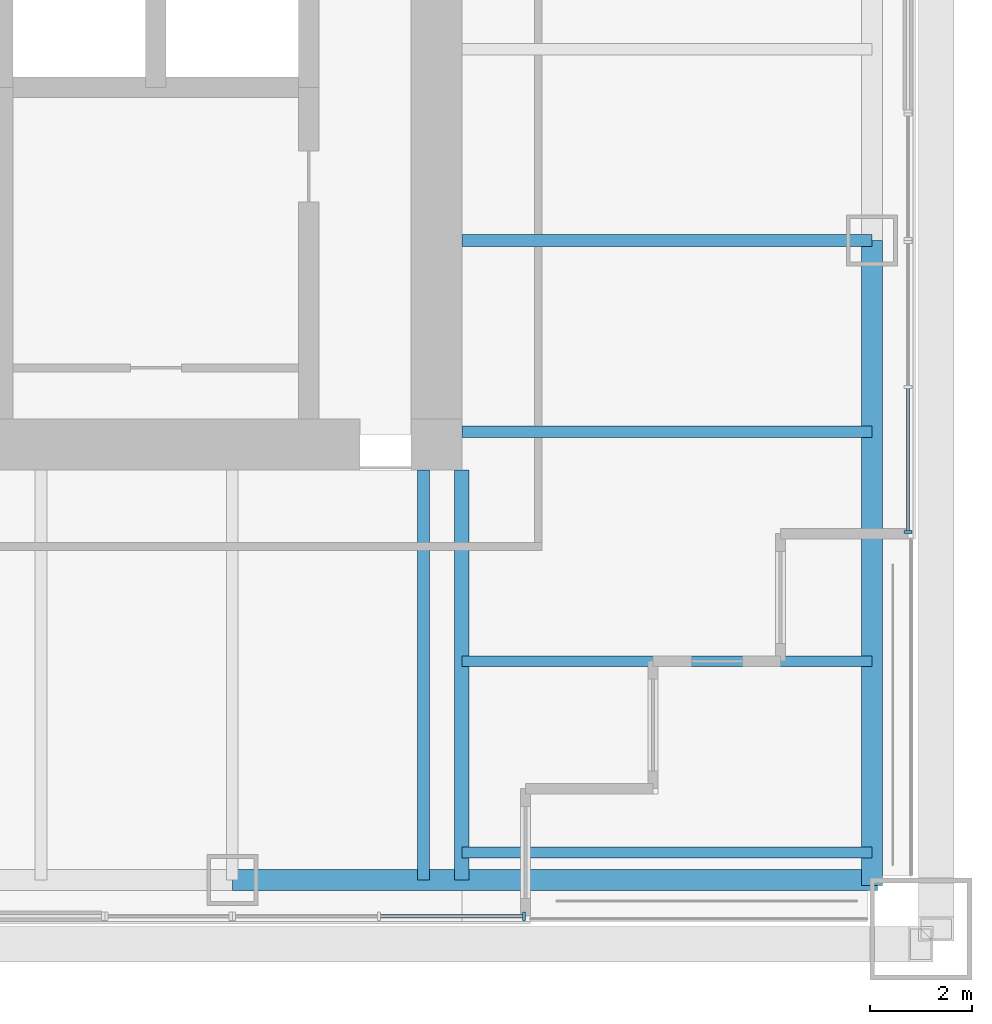
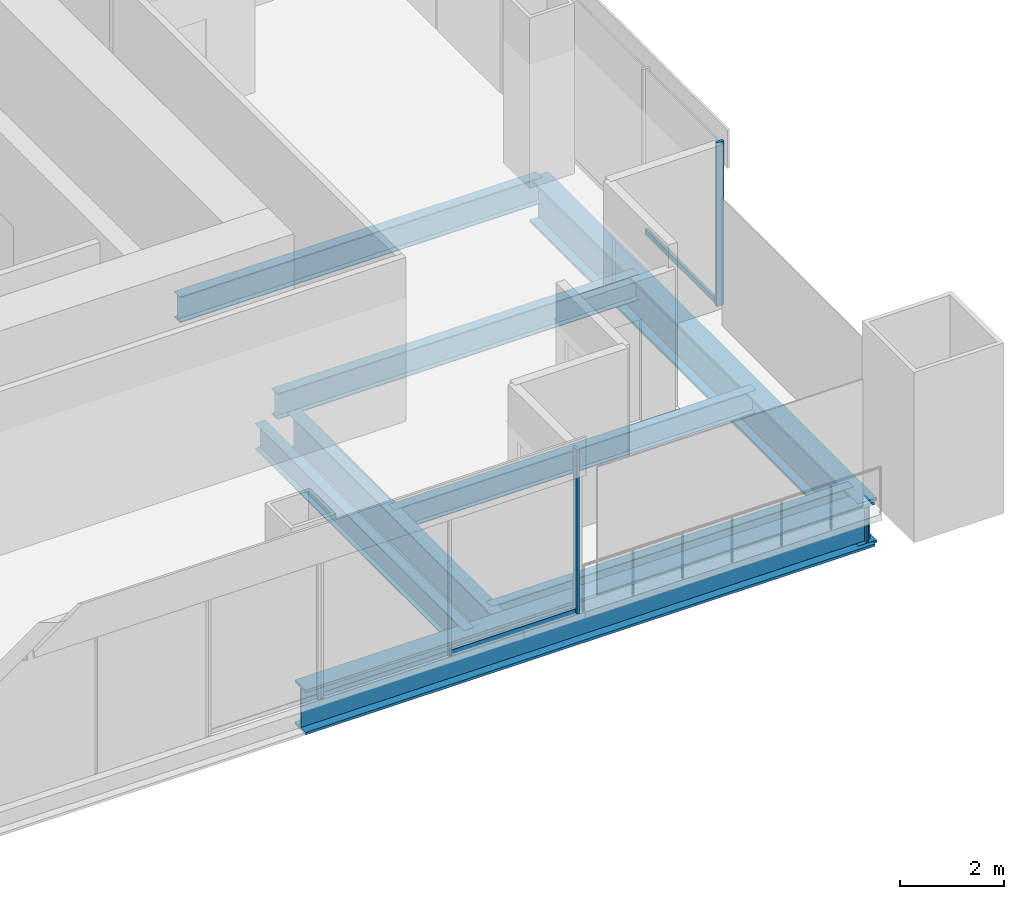
# One storey, part 7 of 19: 8 beams, 4 members, 2 elements without a shape of their own.
"""IFC4 building model written with IfcOpenShell, lengths in metres."""

from ifc_helpers import new_model, si_unit, direction, frame, origin, origin_2d, place, context, subcontext, project, spatial, rectangle, i_section, extrude, material, material_profile, profile_set, type_object, element, aggregate, save


model = new_model("IFC4")

# Units and contexts
model_context = context("Model", 3, precision=1e-05, world=origin(), true_north=direction((0.0, 1.0)))
body_context = subcontext(model_context, "Body", "Model", "MODEL_VIEW")
ifc_project = project(units=[si_unit("LENGTHUNIT", "METRE"), si_unit("AREAUNIT", "SQUARE_METRE"), si_unit("VOLUMEUNIT", "CUBIC_METRE"), si_unit("PLANEANGLEUNIT", "RADIAN"), si_unit("MASSUNIT", "GRAM", prefix="KILO")], contexts=[model_context])

# Site, building, storey
site_placement = place(None, origin())
site = spatial("IfcSite", under=ifc_project, at=site_placement, CompositionType="ELEMENT")
building_placement = place(site_placement, origin())
building = spatial("IfcBuilding", under=site, at=building_placement, Name="Tarangal Relay Tower", CompositionType="ELEMENT")
storey_placement = place(building_placement, frame((0.0, 0.0, 275.89990234375)))
storey = spatial("IfcBuildingStorey", under=building, at=storey_placement, Name="L60", CompositionType="ELEMENT", Elevation=275.89990234375)

# Beams
ifc_material_1 = material(Name="Steel ASTM A992", Category="steel")
ifc_material_profile_1 = material_profile(ifc_material_1, i_section(OverallWidth=0.209228515625, OverallDepth=0.533447265625, WebThickness=0.01025390625, FlangeThickness=0.015625, at=origin_2d()), Name="W21X62")
ifc_profile_set_1 = profile_set([ifc_material_profile_1], Name="Steel ASTM A992")
beam_type_1 = type_object("IfcBeamType", Name="Corner beam W21X62", PredefinedType="JOIST", material=ifc_profile_set_1)
for number, where, z_axis, x_axis, name in (
    (1, (12.0, -15.75, -0.41650390625), (1.0, 0.0, 0.0), (0.0, 1.0, 0.0), "Corner beam CB12 E L60"),
    (2, (12.0, -19.5, -0.41650390625), (1.0, 0.0, 0.0), (0.0, 1.0, 0.0), "Corner beam CB12 E L60"),
):
    element("IfcBeam", number, at=place(storey_placement, frame(where, z_axis=z_axis, x_axis=x_axis)), inside=storey, type_object=beam_type_1, Name=name, PredefinedType="JOIST", context=body_context, shape_type="SweptSolid", body=[
        extrude(i_section(OverallWidth=0.209228515625, OverallDepth=0.533447265625, WebThickness=0.01025390625, FlangeThickness=0.015625, at=origin_2d()), origin(), (0.0, 0.0, 1.0), 8.0400390625),
    ])
ifc_material_profile_2 = material_profile(ifc_material_1, i_section(OverallWidth=0.2919921875, OverallDepth=0.8408203125, WebThickness=0.0146484375, FlangeThickness=0.021728515625, at=origin_2d()), Name="W33X130")
ifc_profile_set_2 = profile_set([ifc_material_profile_2], Name="Steel ASTM A992")
beam_type_2 = type_object("IfcBeamType", Name="Corner girder W33X130", PredefinedType="BEAM", material=ifc_profile_set_2)
beam_placement = place(storey_placement, frame((12.0, -12.0, -0.5703125), z_axis=(0.0, -1.0, 0.0), x_axis=(1.0, 0.0, 0.0)))
element("IfcBeam", 3, at=beam_placement, inside=storey, type_object=beam_type_2, Name="Corner girder CG5 E L60", PredefinedType="BEAM", context=body_context, shape_type="SweptSolid", body=[
    extrude(i_section(OverallWidth=0.2919921875, OverallDepth=0.8408203125, WebThickness=0.0146484375, FlangeThickness=0.021728515625, at=origin_2d()), origin(), (0.0, 0.0, 1.0), 8.0400390625),
])
ifc_material_profile_3 = material_profile(ifc_material_1, i_section(OverallWidth=0.41162109375, OverallDepth=1.049072265625, WebThickness=0.033935546875, FlangeThickness=0.059814453125, at=origin_2d()), Name="W40X431")
ifc_profile_set_3 = profile_set([ifc_material_profile_3], Name="Steel ASTM A992")
beam_type_3 = type_object("IfcBeamType", Name="Edge girder W40X431", PredefinedType="SPANDREL", material=ifc_profile_set_3)
for number, where, z_axis, x_axis, name in (
    (4, (20.0400390625, -7.5, -0.67431640625), (0.0, -1.0, 0.0), (1.0, 0.0, 0.0), "Edge girder EG1 E L60"),
    (5, (20.14990234375, -20.0400390625, -0.67431640625), (-1.0, 0.0, 0.0), (0.0, -1.0, 0.0), "Edge girder EG1 S L60"),
):
    element("IfcBeam", number, at=place(storey_placement, frame(where, z_axis=z_axis, x_axis=x_axis)), inside=storey, type_object=beam_type_3, Name=name, PredefinedType="SPANDREL", context=body_context, shape_type="SweptSolid", body=[
        extrude(i_section(OverallWidth=0.41162109375, OverallDepth=1.049072265625, WebThickness=0.033935546875, FlangeThickness=0.059814453125, at=origin_2d()), origin(), (0.0, 0.0, 1.0), 12.64990234375),
    ])
ifc_material_profile_4 = material_profile(ifc_material_1, i_section(OverallWidth=0.228271484375, OverallDepth=0.607177734375, WebThickness=0.01123046875, FlangeThickness=0.017333984375, at=origin_2d()), Name="W24X76")
ifc_profile_set_4 = profile_set([ifc_material_profile_4], Name="Steel ASTM A992")
beam_type_4 = type_object("IfcBeamType", Name="Floor beam W24X76", PredefinedType="BEAM", material=ifc_profile_set_4)
for number, where, z_axis, x_axis, name in (
    (6, (12.0, -7.5, -0.453369140625), (1.0, 0.0, 0.0), (0.0, 1.0, 0.0), "Floor beam RB5 E L60"),
    (7, (12.0, -11.25, -0.453369140625), (1.0, 0.0, 0.0), (0.0, 1.0, 0.0), "Floor beam RB5 E L60"),
    (8, (11.25, -12.0, -0.453369140625), (0.0, -1.0, 0.0), (1.0, 0.0, 0.0), "Floor beam RB5 S L60"),
):
    element("IfcBeam", number, at=place(storey_placement, frame(where, z_axis=z_axis, x_axis=x_axis)), inside=storey, type_object=beam_type_4, Name=name, PredefinedType="BEAM", context=body_context, shape_type="SweptSolid", body=[
        extrude(i_section(OverallWidth=0.228271484375, OverallDepth=0.607177734375, WebThickness=0.01123046875, FlangeThickness=0.017333984375, at=origin_2d()), origin(), (0.0, 0.0, 1.0), 8.0400390625),
    ])

# Curtain wall, member
ifc_material_2 = material(Name="Unitised curtain wall, dark glass and black aluminium", Category="aluminium")
curtain_wall_type = type_object("IfcCurtainWallType", Name="Curtain wall CW-B", PredefinedType="USERDEFINED", material=ifc_material_2)
curtain_wall_1_placement = place(storey_placement, origin())
curtain_wall_1 = element("IfcCurtainWall", 9, at=curtain_wall_1_placement, inside=storey, type_object=curtain_wall_type, Name="Curtain wall CW-B E facade L60", ObjectType="UNITISED CURTAIN WALL", PredefinedType="USERDEFINED")
ifc_material_3 = material(Name="Black anodised aluminium mullion", Category="aluminium")
ifc_material_profile_5 = material_profile(ifc_material_3, rectangle(XDim=0.159912109375, YDim=0.06005859375, at=origin_2d()), Name="CW-BM 60X160")
ifc_profile_set_5 = profile_set([ifc_material_profile_5], Name="Black anodised aluminium mullion")
member_type_1 = type_object("IfcMemberType", Name="Mullion CW-B 60 x 160", PredefinedType="MULLION", material=ifc_profile_set_5)
member_1_placement = place(storey_placement, frame((20.75, -13.219970703125, 0.0), z_axis=(0.0, 0.0, 1.0), x_axis=(1.0, 0.0, 0.0)))
member_1 = element("IfcMember", 10, at=member_1_placement, type_object=member_type_1, Name="CW-B mullion 3", PredefinedType="MULLION", context=body_context, shape_type="SweptSolid", body=[
    extrude(rectangle(XDim=0.159912109375, YDim=0.06005859375, at=origin_2d()), origin(), (0.0, 0.0, 1.0), 3.85009765625),
])

curtain_wall_2_placement = place(storey_placement, origin())
curtain_wall_2 = element("IfcCurtainWall", 11, at=curtain_wall_2_placement, inside=storey, type_object=curtain_wall_type, Name="Curtain wall CW-B S facade L60", ObjectType="UNITISED CURTAIN WALL", PredefinedType="USERDEFINED")
member_2_placement = place(storey_placement, frame((13.219970703125, -20.75, 0.0), z_axis=(0.0, 0.0, 1.0), x_axis=(0.0, -1.0, 0.0)))
member_2 = element("IfcMember", 12, at=member_2_placement, type_object=member_type_1, Name="CW-B mullion 1", PredefinedType="MULLION", context=body_context, shape_type="SweptSolid", body=[
    extrude(rectangle(XDim=0.159912109375, YDim=0.06005859375, at=origin_2d()), origin(), (0.0, 0.0, 1.0), 3.85009765625),
])

# Member
ifc_material_4 = material(Name="Black anodised aluminium transom", Category="aluminium")
ifc_material_profile_6 = material_profile(ifc_material_4, rectangle(XDim=0.06005859375, YDim=0.1298828125, at=origin_2d()), Name="CW-BT 60X130")
ifc_profile_set_6 = profile_set([ifc_material_profile_6], Name="Black anodised aluminium transom")
member_type_2 = type_object("IfcMemberType", Name="Transom CW-B 60 x 130", PredefinedType="USERDEFINED", material=ifc_profile_set_6)
member_3_placement = place(storey_placement, frame((20.75, -10.405029296875, 0.030029296875), z_axis=(0.0, -1.0, 0.0), x_axis=(1.0, 0.0, 0.0)))
member_3 = element("IfcMember", 13, at=member_3_placement, type_object=member_type_2, Name="CW-B transom 2.1", ObjectType="TRANSOM", PredefinedType="USERDEFINED", context=body_context, shape_type="SweptSolid", body=[
    extrude(rectangle(XDim=0.06005859375, YDim=0.1298828125, at=origin_2d()), origin(), (0.0, 0.0, 1.0), 2.784912109375),
])

aggregate(curtain_wall_1, [member_1, member_3])

member_4_placement = place(storey_placement, frame((13.18994140625, -20.75, 0.030029296875), z_axis=(-1.0, 0.0, 0.0), x_axis=(0.0, -1.0, 0.0)))
member_4 = element("IfcMember", 14, at=member_4_placement, type_object=member_type_2, Name="CW-B transom 1.1", ObjectType="TRANSOM", PredefinedType="USERDEFINED", context=body_context, shape_type="SweptSolid", body=[
    extrude(rectangle(XDim=0.06005859375, YDim=0.1298828125, at=origin_2d()), origin(), (0.0, 0.0, 1.0), 2.784912109375),
])

aggregate(curtain_wall_2, [member_2, member_4])

save(model, "model.ifc")
